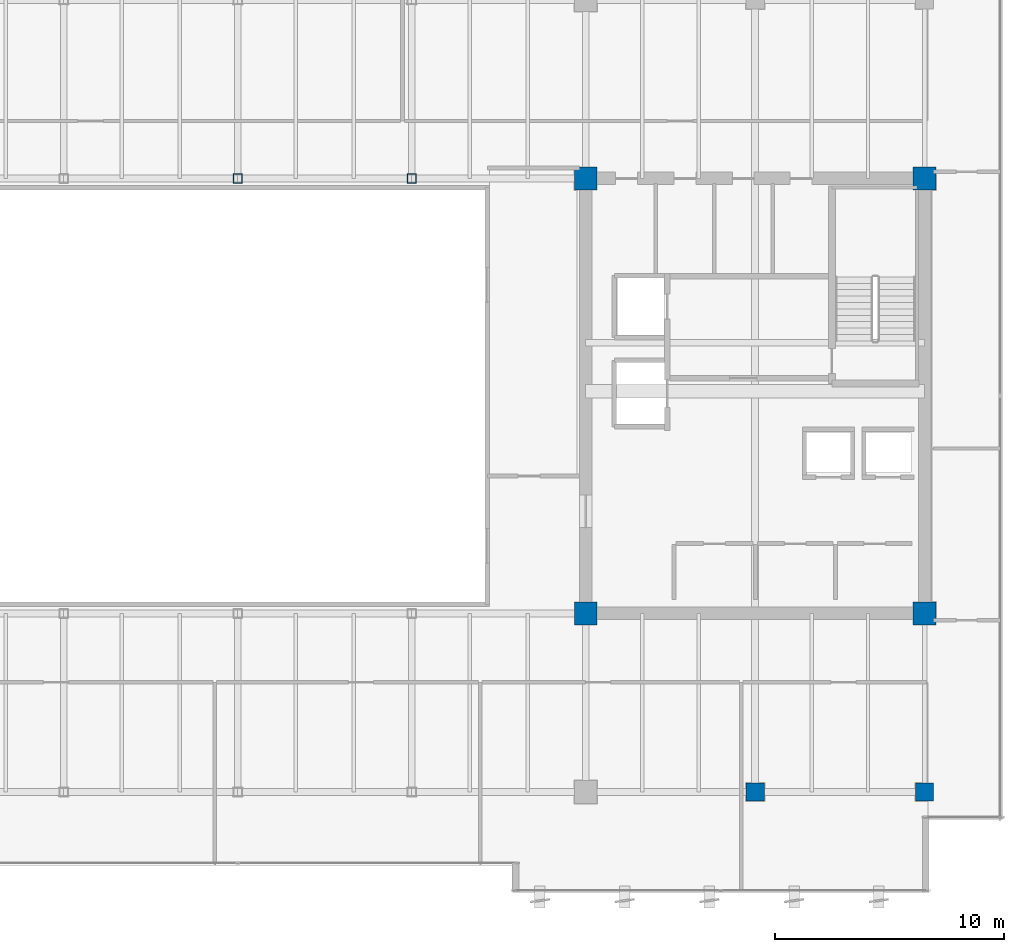
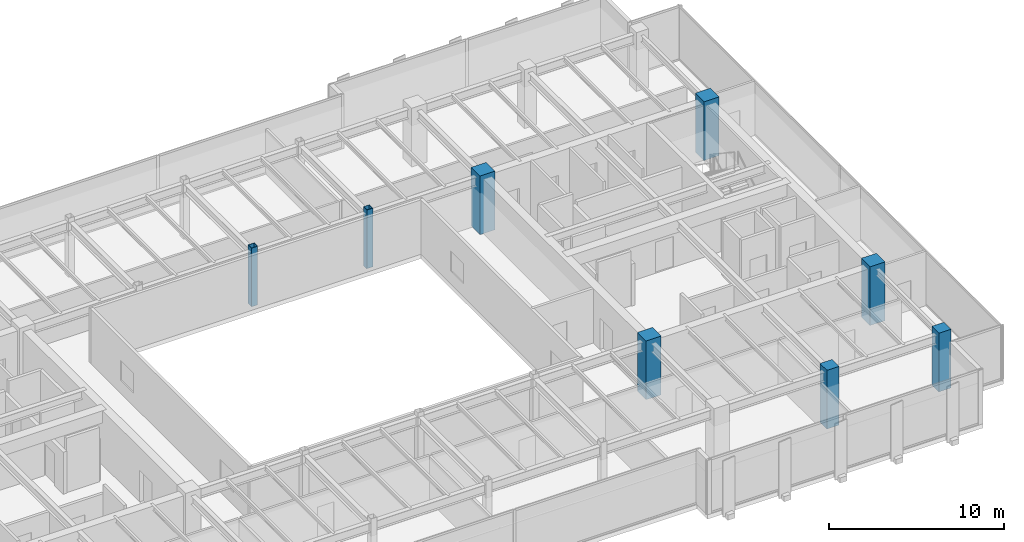
# One storey, part 2 of 36: 8 columns.
"""IFC4 building model written with IfcOpenShell, lengths in metres."""

from ifc_helpers import new_model, si_unit, direction, frame, origin, origin_2d, place, context, subcontext, project, spatial, rectangle, hollow_rectangle, extrude, source, transform, mapped, material, material_profile, profile_set, type_object, type_shapes, element, save


model = new_model("IFC4")

# Units and contexts
model_context = context("Model", 3, precision=1e-05, world=origin(), true_north=direction((0.0, 1.0)))
body_context = subcontext(model_context, "Body", "Model", "MODEL_VIEW")
ifc_project = project(units=[si_unit("LENGTHUNIT", "METRE"), si_unit("AREAUNIT", "SQUARE_METRE"), si_unit("VOLUMEUNIT", "CUBIC_METRE"), si_unit("PLANEANGLEUNIT", "RADIAN"), si_unit("MASSUNIT", "GRAM", prefix="KILO")], contexts=[model_context])

# Site, building, storey
site_placement = place(None, origin())
site = spatial("IfcSite", under=ifc_project, at=site_placement, CompositionType="ELEMENT")
building_placement = place(site_placement, origin())
building = spatial("IfcBuilding", under=site, at=building_placement, Name="Haelvirn Gate Laboratories", CompositionType="ELEMENT")
storey_placement = place(building_placement, frame((0.0, 0.0, 242.39990234375)))
storey = spatial("IfcBuildingStorey", under=building, at=storey_placement, Name="L58", CompositionType="ELEMENT", Elevation=242.39990234375)

# Columns
ifc_material_1 = material(Name="Concrete C60/75", Category="concrete")
ifc_material_profile_1 = material_profile(ifc_material_1, rectangle(XDim=1.0, YDim=1.0, at=origin_2d()), Name="RC-1000x1000")
ifc_profile_set_1 = profile_set([ifc_material_profile_1], Name="Concrete C60/75")
column_type_1 = type_object("IfcColumnType", Name="COL-RC-1000", PredefinedType="COLUMN", material=ifc_profile_set_1)
shared_shape_1 = source(origin(), body_context, "Body", "SweptSolid", [
    extrude(rectangle(XDim=1.0, YDim=1.0, at=origin_2d()), origin(), (0.0, 0.0, 1.0), 4.10009765625),
])
type_shapes(column_type_1, [shared_shape_1])
for number, where, z_axis, x_axis, name in (
    (1, (52.60009765625, 14.800048828125, 0.0), (0.0, 0.0, 1.0), (1.0, 0.0, 0.0), "L58 Column 8C"),
    (2, (67.39990234375, 14.800048828125, 0.0), (0.0, 0.0, 1.0), (1.0, 0.0, 0.0), "L58 Column 10C"),
    (3, (52.60009765625, 33.800048828125, 0.0), (0.0, 0.0, 1.0), (1.0, 0.0, 0.0), "L58 Column 8F"),
    (4, (67.39990234375, 33.800048828125, 0.0), (0.0, 0.0, 1.0), (1.0, 0.0, 0.0), "L58 Column 10F"),
):
    element("IfcColumn", number, at=place(storey_placement, frame(where, z_axis=z_axis, x_axis=x_axis)), inside=storey, type_object=column_type_1, Name=name, PredefinedType="COLUMN", context=body_context, shape_type="MappedRepresentation", body=[
        mapped(shared_shape_1, transform((0.0, 0.0, 0.0), scale=1.0)),
    ])
ifc_material_2 = material(Name="Concrete C50/60", Category="concrete")
ifc_material_profile_2 = material_profile(ifc_material_2, rectangle(XDim=0.800048828125, YDim=0.800048828125, at=origin_2d()), Name="RC-800x800")
ifc_profile_set_2 = profile_set([ifc_material_profile_2], Name="Concrete C50/60")
column_type_2 = type_object("IfcColumnType", Name="COL-RC-800", PredefinedType="COLUMN", material=ifc_profile_set_2)
shared_shape_2 = source(origin(), body_context, "Body", "SweptSolid", [
    extrude(rectangle(XDim=0.800048828125, YDim=0.800048828125, at=origin_2d()), origin(), (0.0, 0.0, 1.0), 4.10009765625),
])
type_shapes(column_type_2, [shared_shape_2])
for number, where, z_axis, x_axis, name in (
    (5, (60.0, 7.0, 0.0), (0.0, 0.0, 1.0), (1.0, 0.0, 0.0), "L58 Column 9B"),
    (6, (67.39990234375, 7.0, 0.0), (0.0, 0.0, 1.0), (1.0, 0.0, 0.0), "L58 Column 10B"),
):
    element("IfcColumn", number, at=place(storey_placement, frame(where, z_axis=z_axis, x_axis=x_axis)), inside=storey, type_object=column_type_2, Name=name, PredefinedType="COLUMN", context=body_context, shape_type="MappedRepresentation", body=[
        mapped(shared_shape_2, transform((0.0, 0.0, 0.0), scale=1.0)),
    ])
ifc_material_3 = material(Name="Steel SM355", Category="steel")
ifc_material_profile_3 = material_profile(ifc_material_3, hollow_rectangle(XDim=0.39990234375, YDim=0.39990234375, WallThickness=0.01904296875, at=origin_2d()), Name="BOX-400x400x19")
ifc_profile_set_3 = profile_set([ifc_material_profile_3], Name="Steel SM355")
column_type_3 = type_object("IfcColumnType", Name="COL-BOX-400", PredefinedType="COLUMN", material=ifc_profile_set_3)
shared_shape_3 = source(origin(), body_context, "Body", "SweptSolid", [
    extrude(hollow_rectangle(XDim=0.39990234375, YDim=0.39990234375, WallThickness=0.01904296875, at=origin_2d()), origin(), (0.0, 0.0, 1.0), 4.10009765625),
])
type_shapes(column_type_3, [shared_shape_3])
for number, where, z_axis, x_axis, name in (
    (7, (37.39990234375, 33.800048828125, 0.0), (0.0, 0.0, 1.0), (1.0, 0.0, 0.0), "L58 Column 6F"),
    (8, (45.0, 33.800048828125, 0.0), (0.0, 0.0, 1.0), (1.0, 0.0, 0.0), "L58 Column 7F"),
):
    element("IfcColumn", number, at=place(storey_placement, frame(where, z_axis=z_axis, x_axis=x_axis)), inside=storey, type_object=column_type_3, Name=name, PredefinedType="COLUMN", context=body_context, shape_type="MappedRepresentation", body=[
        mapped(shared_shape_3, transform((0.0, 0.0, 0.0), scale=1.0)),
    ])

save(model, "model.ifc")
